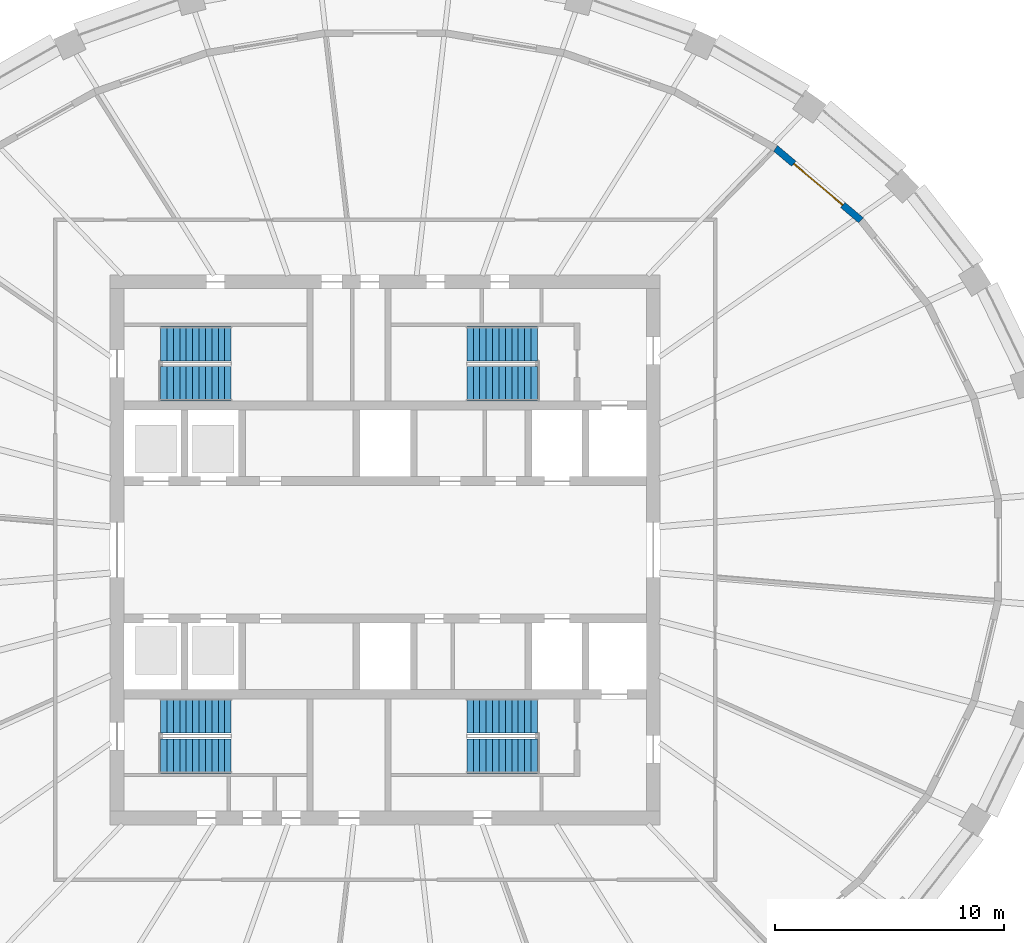
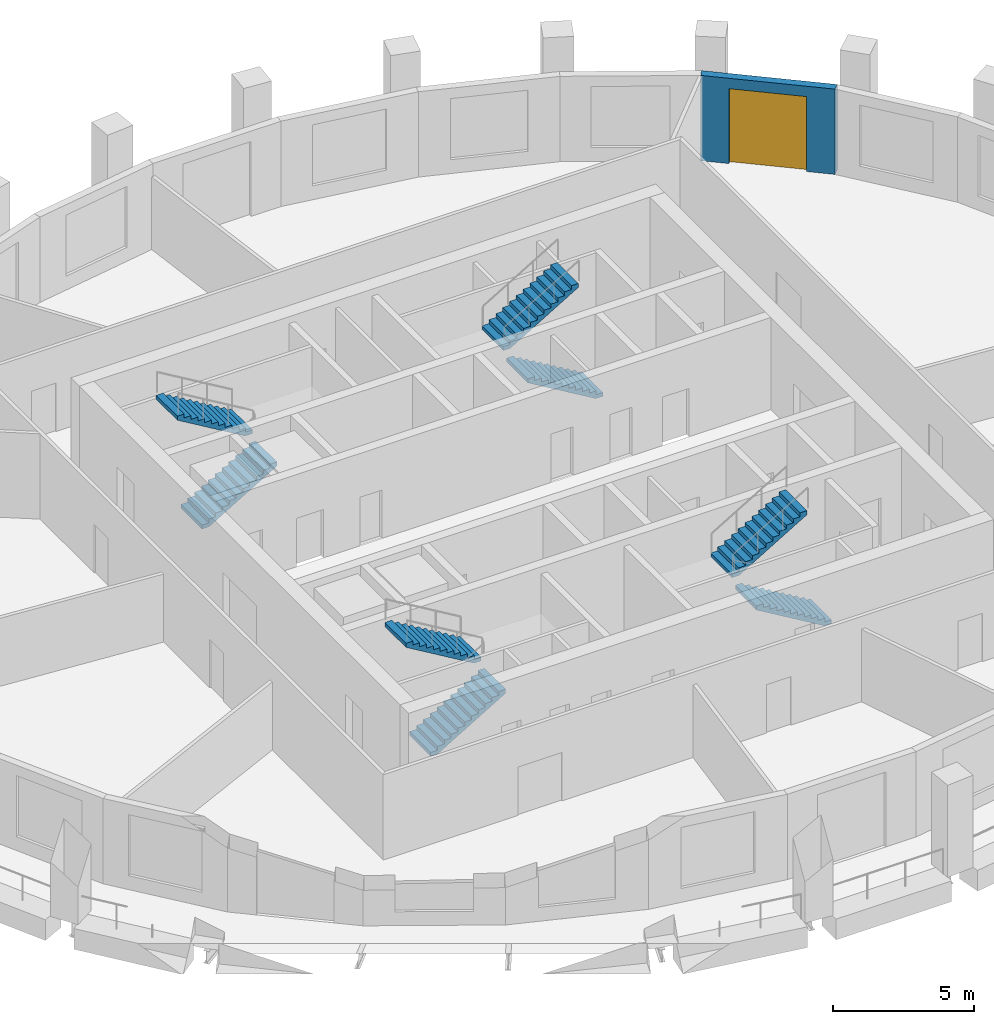
# One storey, part 7 of 10: 8 stair flights, 1 door, 1 wall, 1 opening, 4 elements without a shape of their own.
"""IFC4 building model written with IfcOpenShell, lengths in metres."""

from ifc_helpers import new_model, si_unit, direction, frame, frame_2d, origin, place, context, subcontext, project, spatial, polyline, rectangle, outline, extrude, material, layer, layer_set, type_object, element, fill, aggregate, save


model = new_model("IFC4")

# Units and contexts
model_context = context("Model", 3, precision=1e-05, world=origin(), true_north=direction((0.0, 1.0)))
body_context = subcontext(model_context, "Body", "Model", "MODEL_VIEW")
ifc_project = project(units=[si_unit("LENGTHUNIT", "METRE"), si_unit("AREAUNIT", "SQUARE_METRE"), si_unit("VOLUMEUNIT", "CUBIC_METRE"), si_unit("PLANEANGLEUNIT", "RADIAN"), si_unit("MASSUNIT", "GRAM", prefix="KILO")], contexts=[model_context])

# Site, building, storey
site_placement = place(None, origin())
site = spatial("IfcSite", under=ifc_project, at=site_placement, CompositionType="ELEMENT")
building_placement = place(site_placement, origin())
building = spatial("IfcBuilding", under=site, at=building_placement, Name="Halqa Exchange Tower", CompositionType="ELEMENT")
storey_placement = place(building_placement, frame((0.0, 0.0, 288.300048828125)))
storey = spatial("IfcBuildingStorey", under=building, at=storey_placement, Name="L67", CompositionType="ELEMENT", Elevation=288.300048828125)

# Wall, opening, door
ifc_material_1 = material(Name="Limestone cladding", Category="masonry")
ifc_layer_1 = layer(ifc_material_1, 0.0400390625)
ifc_material_2 = material(Name="Ventilated cavity")
ifc_layer_2 = layer(ifc_material_2, 0.030029296875, ventilated=True)
ifc_material_3 = material(Name="Mineral wool insulation")
ifc_layer_3 = layer(ifc_material_3, 0.10009765625)
ifc_material_4 = material(Name="Concrete C30/37", Category="concrete")
ifc_layer_4 = layer(ifc_material_4, 0.10009765625)
ifc_material_5 = material(Name="Internal plaster")
ifc_layer_5 = layer(ifc_material_5, 0.030029296875)
ifc_layer_set = layer_set([ifc_layer_1, ifc_layer_2, ifc_layer_3, ifc_layer_4, ifc_layer_5], Name="Stone-faced insulated wall 300")
wall_type = type_object("IfcWallType", Name="Stone-faced insulated wall 300", PredefinedType="STANDARD", material=ifc_layer_set)
wall_placement = place(storey_placement, frame((20.767822265625, 14.384033203125, 0.0), z_axis=(0.0, 0.0, 1.0), x_axis=(-0.764876116592, 0.644177402792, 0.0)))
wall = element("IfcWall", 1, at=wall_placement, inside=storey, type_object=wall_type, Name="Glass-line wall 4", PredefinedType="STANDARD", context=body_context, shape_type="SweptSolid", body=[
    extrude(outline(polyline([(-0.01513671875, -0.14990234375), (4.886962890625, -0.14990234375), (4.858642578125, 0.14990234375), (0.01513671875, 0.14990234375), (-0.01513671875, -0.14990234375)])), origin(), (0.0, 0.0, 1.0), 3.699951171875),
])
opening_placement = place(wall_placement, frame((1.036376953125, 0.0, 0.0)))
opening = element("IfcOpeningElement", 2, at=opening_placement, cuts=wall, Name="Opening LG-F4-01", PredefinedType="OPENING", context=body_context, shape_type="SweptSolid", body=[
    extrude(rectangle(XDim=2.800048828125, YDim=3.25, at=frame_2d((1.39990234375, 1.625))), frame((0.0, 0.162109375, 0.0), z_axis=(0.0, -1.0, 0.0), x_axis=(1.0, 0.0, 0.0)), (0.0, 0.0, 1.0), 0.323974609375),
])
ifc_material_6 = material(Name="Clear low-emissivity glass in aluminium frame", Category="aluminium")
door_type = type_object("IfcDoorType", Name="Glazed sliding loggia door 2800 x 3250", OperationType="DOUBLE_DOOR_SLIDING", PredefinedType="DOOR", material=ifc_material_6)
door_placement = place(opening_placement, origin())
door = element("IfcDoor", 3, at=door_placement, inside=storey, type_object=door_type, Name="Loggia door 1", OperationType="DOUBLE_DOOR_SLIDING", OverallHeight=3.25, OverallWidth=2.800048828125, PredefinedType="DOOR", context=body_context, shape_type="SweptSolid", body=[
    extrude(rectangle(XDim=2.800048828125, YDim=3.25, at=frame_2d((1.39990234375, 1.625))), frame((0.0, 0.02490234375, 0.0), z_axis=(0.0, -1.0, 0.0), x_axis=(1.0, 0.0, 0.0)), (0.0, 0.0, 1.0), 0.050048828125),
])
fill(opening, door)

# Stair, stair flights
stair_type = type_object("IfcStairType", Name="Exit stair 1500 wide", PredefinedType="HALF_TURN_STAIR", material=ifc_material_4)
stair_1_placement = place(storey_placement, origin())
stair_1 = element("IfcStair", 4, at=stair_1_placement, inside=storey, type_object=stair_type, Name="Exit stair ST1", PredefinedType="HALF_TURN_STAIR")
stair_flight_type = type_object("IfcStairFlightType", Name="Stair flight 1500 wide", PredefinedType="STRAIGHT", material=ifc_material_4)
stair_flight_1_placement = place(storey_placement, frame((-9.800048828125, 7.25, 0.0), z_axis=(0.0, 0.0, 1.0), x_axis=(1.0, 0.0, 0.0)))
stair_flight_1 = element("IfcStairFlight", 5, at=stair_flight_1_placement, type_object=stair_flight_type, Name="ST1 flight 1", NumberOfRisers=12, NumberOfTreads=11, PredefinedType="STRAIGHT", RiserHeight=0.166666667, TreadLength=0.28, context=body_context, shape_type="SweptSolid", body=[
    extrude(outline(polyline([(0.0, 0.0), (0.0, 0.166748046875), (0.280029296875, 0.166748046875), (0.280029296875, 0.333251953125), (0.56005859375, 0.333251953125), (0.56005859375, 0.5), (0.840087890625, 0.5), (0.840087890625, 0.666748046875), (1.1201171875, 0.666748046875), (1.1201171875, 0.833251953125), (1.39990234375, 0.833251953125), (1.39990234375, 1.0), (1.679931640625, 1.0), (1.679931640625, 1.166748046875), (1.9599609375, 1.166748046875), (1.9599609375, 1.333251953125), (2.239990234375, 1.333251953125), (2.239990234375, 1.5), (2.52001953125, 1.5), (2.52001953125, 1.666748046875), (2.800048828125, 1.666748046875), (2.800048828125, 1.833251953125), (3.080078125, 1.833251953125), (3.080078125, 2.0), (3.080078125, 1.658935546875), (0.29296875, 0.0), (0.0, 0.0)])), frame((0.0, 0.75, 0.0), z_axis=(0.0, -1.0, 0.0), x_axis=(1.0, 0.0, 0.0)), (0.0, 0.0, 1.0), 1.5),
])
stair_flight_2_placement = place(storey_placement, frame((-6.719970703125, 9.0, 2.0), z_axis=(0.0, 0.0, 1.0), x_axis=(-1.0, 0.0, 0.0)))
stair_flight_2 = element("IfcStairFlight", 6, at=stair_flight_2_placement, type_object=stair_flight_type, Name="ST1 flight 2", NumberOfRisers=12, NumberOfTreads=11, PredefinedType="STRAIGHT", RiserHeight=0.166666667, TreadLength=0.28, context=body_context, shape_type="SweptSolid", body=[
    extrude(outline(polyline([(0.0, 0.0), (0.0, 0.166748046875), (0.280029296875, 0.166748046875), (0.280029296875, 0.333251953125), (0.56005859375, 0.333251953125), (0.56005859375, 0.5), (0.840087890625, 0.5), (0.840087890625, 0.666748046875), (1.1201171875, 0.666748046875), (1.1201171875, 0.833251953125), (1.39990234375, 0.833251953125), (1.39990234375, 1.0), (1.679931640625, 1.0), (1.679931640625, 1.166748046875), (1.9599609375, 1.166748046875), (1.9599609375, 1.333251953125), (2.239990234375, 1.333251953125), (2.239990234375, 1.5), (2.52001953125, 1.5), (2.52001953125, 1.666748046875), (2.800048828125, 1.666748046875), (2.800048828125, 1.833251953125), (3.080078125, 1.833251953125), (3.080078125, 2.0), (3.080078125, 1.658935546875), (0.29296875, 0.0), (0.0, 0.0)])), frame((0.0, 0.75, 0.0), z_axis=(0.0, -1.0, 0.0), x_axis=(1.0, 0.0, 0.0)), (0.0, 0.0, 1.0), 1.5),
])
aggregate(stair_1, [stair_flight_1, stair_flight_2])

stair_2_placement = place(storey_placement, origin())
stair_2 = element("IfcStair", 7, at=stair_2_placement, inside=storey, type_object=stair_type, Name="Exit stair ST2", PredefinedType="HALF_TURN_STAIR")
stair_flight_3_placement = place(storey_placement, frame((6.64990234375, 7.25, 0.0), z_axis=(0.0, 0.0, 1.0), x_axis=(-1.0, 0.0, 0.0)))
stair_flight_3 = element("IfcStairFlight", 8, at=stair_flight_3_placement, type_object=stair_flight_type, Name="ST2 flight 1", NumberOfRisers=12, NumberOfTreads=11, PredefinedType="STRAIGHT", RiserHeight=0.166666667, TreadLength=0.28, context=body_context, shape_type="SweptSolid", body=[
    extrude(outline(polyline([(0.0, 0.0), (0.0, 0.166748046875), (0.280029296875, 0.166748046875), (0.280029296875, 0.333251953125), (0.56005859375, 0.333251953125), (0.56005859375, 0.5), (0.840087890625, 0.5), (0.840087890625, 0.666748046875), (1.1201171875, 0.666748046875), (1.1201171875, 0.833251953125), (1.39990234375, 0.833251953125), (1.39990234375, 1.0), (1.679931640625, 1.0), (1.679931640625, 1.166748046875), (1.9599609375, 1.166748046875), (1.9599609375, 1.333251953125), (2.239990234375, 1.333251953125), (2.239990234375, 1.5), (2.52001953125, 1.5), (2.52001953125, 1.666748046875), (2.800048828125, 1.666748046875), (2.800048828125, 1.833251953125), (3.080078125, 1.833251953125), (3.080078125, 2.0), (3.080078125, 1.658935546875), (0.29296875, 0.0), (0.0, 0.0)])), frame((0.0, 0.75, 0.0), z_axis=(0.0, -1.0, 0.0), x_axis=(1.0, 0.0, 0.0)), (0.0, 0.0, 1.0), 1.5),
])
stair_flight_4_placement = place(storey_placement, frame((3.570068359375, 9.0, 2.0), z_axis=(0.0, 0.0, 1.0), x_axis=(1.0, 0.0, 0.0)))
stair_flight_4 = element("IfcStairFlight", 9, at=stair_flight_4_placement, type_object=stair_flight_type, Name="ST2 flight 2", NumberOfRisers=12, NumberOfTreads=11, PredefinedType="STRAIGHT", RiserHeight=0.166666667, TreadLength=0.28, context=body_context, shape_type="SweptSolid", body=[
    extrude(outline(polyline([(0.0, 0.0), (0.0, 0.166748046875), (0.280029296875, 0.166748046875), (0.280029296875, 0.333251953125), (0.56005859375, 0.333251953125), (0.56005859375, 0.5), (0.840087890625, 0.5), (0.840087890625, 0.666748046875), (1.1201171875, 0.666748046875), (1.1201171875, 0.833251953125), (1.39990234375, 0.833251953125), (1.39990234375, 1.0), (1.679931640625, 1.0), (1.679931640625, 1.166748046875), (1.9599609375, 1.166748046875), (1.9599609375, 1.333251953125), (2.239990234375, 1.333251953125), (2.239990234375, 1.5), (2.52001953125, 1.5), (2.52001953125, 1.666748046875), (2.800048828125, 1.666748046875), (2.800048828125, 1.833251953125), (3.080078125, 1.833251953125), (3.080078125, 2.0), (3.080078125, 1.658935546875), (0.29296875, 0.0), (0.0, 0.0)])), frame((0.0, 0.75, 0.0), z_axis=(0.0, -1.0, 0.0), x_axis=(1.0, 0.0, 0.0)), (0.0, 0.0, 1.0), 1.5),
])
aggregate(stair_2, [stair_flight_3, stair_flight_4])

stair_3_placement = place(storey_placement, origin())
stair_3 = element("IfcStair", 10, at=stair_3_placement, inside=storey, type_object=stair_type, Name="Exit stair ST3", PredefinedType="HALF_TURN_STAIR")
stair_flight_5_placement = place(storey_placement, frame((-9.800048828125, -9.0, 0.0), z_axis=(0.0, 0.0, 1.0), x_axis=(1.0, 0.0, 0.0)))
stair_flight_5 = element("IfcStairFlight", 11, at=stair_flight_5_placement, type_object=stair_flight_type, Name="ST3 flight 1", NumberOfRisers=12, NumberOfTreads=11, PredefinedType="STRAIGHT", RiserHeight=0.166666667, TreadLength=0.28, context=body_context, shape_type="SweptSolid", body=[
    extrude(outline(polyline([(0.0, 0.0), (0.0, 0.166748046875), (0.280029296875, 0.166748046875), (0.280029296875, 0.333251953125), (0.56005859375, 0.333251953125), (0.56005859375, 0.5), (0.840087890625, 0.5), (0.840087890625, 0.666748046875), (1.1201171875, 0.666748046875), (1.1201171875, 0.833251953125), (1.39990234375, 0.833251953125), (1.39990234375, 1.0), (1.679931640625, 1.0), (1.679931640625, 1.166748046875), (1.9599609375, 1.166748046875), (1.9599609375, 1.333251953125), (2.239990234375, 1.333251953125), (2.239990234375, 1.5), (2.52001953125, 1.5), (2.52001953125, 1.666748046875), (2.800048828125, 1.666748046875), (2.800048828125, 1.833251953125), (3.080078125, 1.833251953125), (3.080078125, 2.0), (3.080078125, 1.658935546875), (0.29296875, 0.0), (0.0, 0.0)])), frame((0.0, 0.75, 0.0), z_axis=(0.0, -1.0, 0.0), x_axis=(1.0, 0.0, 0.0)), (0.0, 0.0, 1.0), 1.5),
])
stair_flight_6_placement = place(storey_placement, frame((-6.719970703125, -7.25, 2.0), z_axis=(0.0, 0.0, 1.0), x_axis=(-1.0, 0.0, 0.0)))
stair_flight_6 = element("IfcStairFlight", 12, at=stair_flight_6_placement, type_object=stair_flight_type, Name="ST3 flight 2", NumberOfRisers=12, NumberOfTreads=11, PredefinedType="STRAIGHT", RiserHeight=0.166666667, TreadLength=0.28, context=body_context, shape_type="SweptSolid", body=[
    extrude(outline(polyline([(0.0, 0.0), (0.0, 0.166748046875), (0.280029296875, 0.166748046875), (0.280029296875, 0.333251953125), (0.56005859375, 0.333251953125), (0.56005859375, 0.5), (0.840087890625, 0.5), (0.840087890625, 0.666748046875), (1.1201171875, 0.666748046875), (1.1201171875, 0.833251953125), (1.39990234375, 0.833251953125), (1.39990234375, 1.0), (1.679931640625, 1.0), (1.679931640625, 1.166748046875), (1.9599609375, 1.166748046875), (1.9599609375, 1.333251953125), (2.239990234375, 1.333251953125), (2.239990234375, 1.5), (2.52001953125, 1.5), (2.52001953125, 1.666748046875), (2.800048828125, 1.666748046875), (2.800048828125, 1.833251953125), (3.080078125, 1.833251953125), (3.080078125, 2.0), (3.080078125, 1.658935546875), (0.29296875, 0.0), (0.0, 0.0)])), frame((0.0, 0.75, 0.0), z_axis=(0.0, -1.0, 0.0), x_axis=(1.0, 0.0, 0.0)), (0.0, 0.0, 1.0), 1.5),
])
aggregate(stair_3, [stair_flight_5, stair_flight_6])

stair_4_placement = place(storey_placement, origin())
stair_4 = element("IfcStair", 13, at=stair_4_placement, inside=storey, type_object=stair_type, Name="Exit stair ST4", PredefinedType="HALF_TURN_STAIR")
stair_flight_7_placement = place(storey_placement, frame((6.64990234375, -9.0, 0.0), z_axis=(0.0, 0.0, 1.0), x_axis=(-1.0, 0.0, 0.0)))
stair_flight_7 = element("IfcStairFlight", 14, at=stair_flight_7_placement, type_object=stair_flight_type, Name="ST4 flight 1", NumberOfRisers=12, NumberOfTreads=11, PredefinedType="STRAIGHT", RiserHeight=0.166666667, TreadLength=0.28, context=body_context, shape_type="SweptSolid", body=[
    extrude(outline(polyline([(0.0, 0.0), (0.0, 0.166748046875), (0.280029296875, 0.166748046875), (0.280029296875, 0.333251953125), (0.56005859375, 0.333251953125), (0.56005859375, 0.5), (0.840087890625, 0.5), (0.840087890625, 0.666748046875), (1.1201171875, 0.666748046875), (1.1201171875, 0.833251953125), (1.39990234375, 0.833251953125), (1.39990234375, 1.0), (1.679931640625, 1.0), (1.679931640625, 1.166748046875), (1.9599609375, 1.166748046875), (1.9599609375, 1.333251953125), (2.239990234375, 1.333251953125), (2.239990234375, 1.5), (2.52001953125, 1.5), (2.52001953125, 1.666748046875), (2.800048828125, 1.666748046875), (2.800048828125, 1.833251953125), (3.080078125, 1.833251953125), (3.080078125, 2.0), (3.080078125, 1.658935546875), (0.29296875, 0.0), (0.0, 0.0)])), frame((0.0, 0.75, 0.0), z_axis=(0.0, -1.0, 0.0), x_axis=(1.0, 0.0, 0.0)), (0.0, 0.0, 1.0), 1.5),
])
stair_flight_8_placement = place(storey_placement, frame((3.570068359375, -7.25, 2.0), z_axis=(0.0, 0.0, 1.0), x_axis=(1.0, 0.0, 0.0)))
stair_flight_8 = element("IfcStairFlight", 15, at=stair_flight_8_placement, type_object=stair_flight_type, Name="ST4 flight 2", NumberOfRisers=12, NumberOfTreads=11, PredefinedType="STRAIGHT", RiserHeight=0.166666667, TreadLength=0.28, context=body_context, shape_type="SweptSolid", body=[
    extrude(outline(polyline([(0.0, 0.0), (0.0, 0.166748046875), (0.280029296875, 0.166748046875), (0.280029296875, 0.333251953125), (0.56005859375, 0.333251953125), (0.56005859375, 0.5), (0.840087890625, 0.5), (0.840087890625, 0.666748046875), (1.1201171875, 0.666748046875), (1.1201171875, 0.833251953125), (1.39990234375, 0.833251953125), (1.39990234375, 1.0), (1.679931640625, 1.0), (1.679931640625, 1.166748046875), (1.9599609375, 1.166748046875), (1.9599609375, 1.333251953125), (2.239990234375, 1.333251953125), (2.239990234375, 1.5), (2.52001953125, 1.5), (2.52001953125, 1.666748046875), (2.800048828125, 1.666748046875), (2.800048828125, 1.833251953125), (3.080078125, 1.833251953125), (3.080078125, 2.0), (3.080078125, 1.658935546875), (0.29296875, 0.0), (0.0, 0.0)])), frame((0.0, 0.75, 0.0), z_axis=(0.0, -1.0, 0.0), x_axis=(1.0, 0.0, 0.0)), (0.0, 0.0, 1.0), 1.5),
])
aggregate(stair_4, [stair_flight_7, stair_flight_8])

save(model, "model.ifc")
